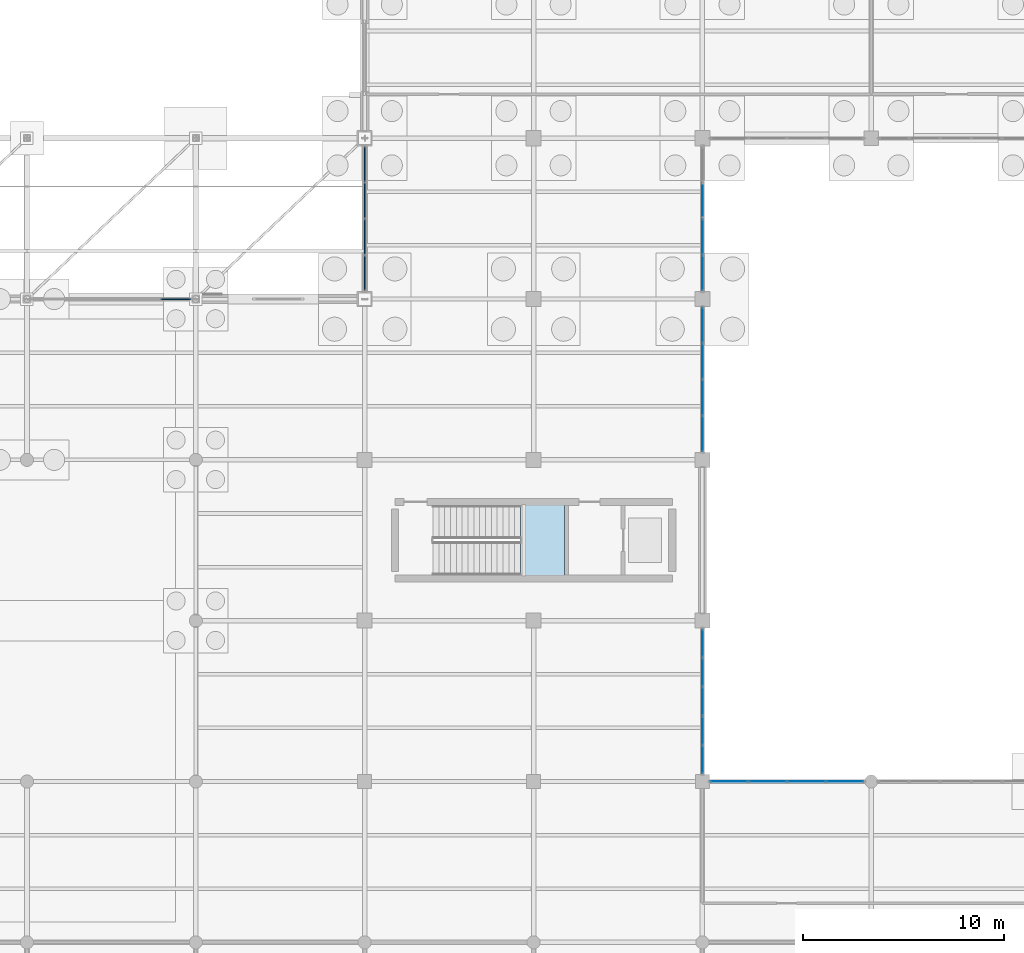
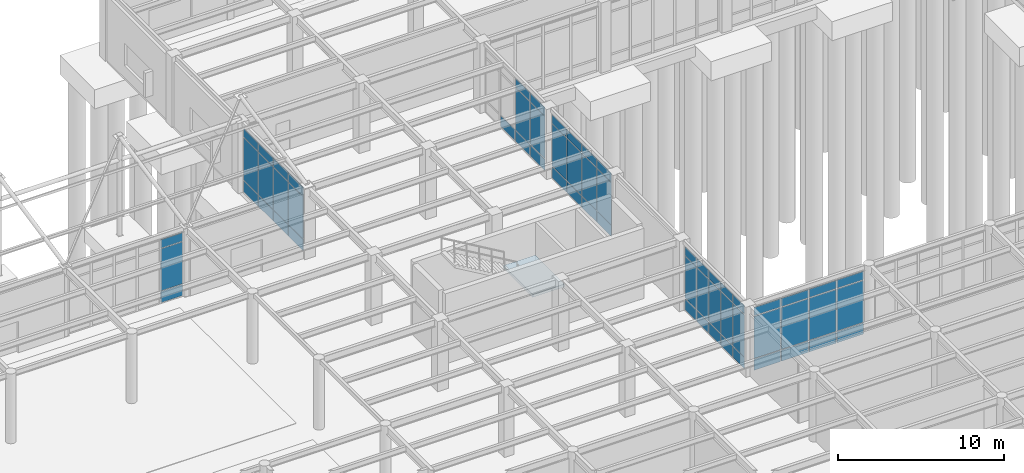
# One storey, part 70 of 138: 61 plates, 1 slab, 7 elements without a shape of their own.
"""IFC4 building model written with IfcOpenShell, lengths in metres."""

from ifc_helpers import new_model, si_unit, direction, frame, origin, origin_2d, place, context, subcontext, project, spatial, polyline, rectangle, outline, extrude, material, layer, layer_set, type_object, element, aggregate, save


model = new_model("IFC4")

# Units and contexts
model_context = context("Model", 3, precision=1e-05, world=origin(), true_north=direction((0.0, 1.0)))
body_context = subcontext(model_context, "Body", "Model", "MODEL_VIEW")
ifc_project = project(units=[si_unit("LENGTHUNIT", "METRE"), si_unit("AREAUNIT", "SQUARE_METRE"), si_unit("VOLUMEUNIT", "CUBIC_METRE"), si_unit("PLANEANGLEUNIT", "RADIAN"), si_unit("MASSUNIT", "GRAM", prefix="KILO")], contexts=[model_context])

# Site, building, storey
site_placement = place(None, origin())
site = spatial("IfcSite", under=ifc_project, at=site_placement, CompositionType="ELEMENT")
building_placement = place(site_placement, origin())
building = spatial("IfcBuilding", under=site, at=building_placement, Name="Kranzveld Transit Interchange", CompositionType="ELEMENT")
storey_placement = place(building_placement, origin())
storey = spatial("IfcBuildingStorey", under=building, at=storey_placement, Name="L00", CompositionType="ELEMENT", Elevation=0.0)

# Curtain wall, plates
ifc_material_1 = material(Name="Bronze-anodised thermally broken aluminium", Category="aluminium")
ifc_layer_1 = layer(ifc_material_1, 0.159912109375)
ifc_layer_set_1 = layer_set([ifc_layer_1], Name="Bronze-anodised thermally broken aluminium")
curtain_wall_type_1 = type_object("IfcCurtainWallType", Name="Bus Boarding Glazed Screen CW-3", PredefinedType="USERDEFINED", material=ifc_layer_set_1)
curtain_wall_1_placement = place(storey_placement, origin())
curtain_wall_1 = element("IfcCurtainWall", 1, at=curtain_wall_1_placement, inside=storey, type_object=curtain_wall_type_1, Name="L00 Curtain Wall 15/L-15/M", ObjectType="CURTAIN WALL", PredefinedType="USERDEFINED")
ifc_material_2 = material(Name="Solar-control double glazing", Category="glass")
ifc_layer_2 = layer(ifc_material_2, 0.031982421875)
ifc_layer_set_2 = layer_set([ifc_layer_2], Name="Solar-control double glazing")
plate_type_1 = type_object("IfcPlateType", Name="Curtain Panel Acoustic Glazing 32", PredefinedType="CURTAIN_PANEL", material=ifc_layer_set_2)
plate_1_placement = place(storey_placement, frame((117.60009765625, 81.296142578125, 0.06005859375), z_axis=(0.0, 0.0, 1.0), x_axis=(0.0, 1.0, 0.0)))
plate_1 = element("IfcPlate", 2, at=plate_1_placement, type_object=plate_type_1, Name="CW-3 panel 1.1", PredefinedType="CURTAIN_PANEL", context=body_context, shape_type="SweptSolid", body=[
    extrude(rectangle(XDim=1.722412109375, YDim=0.031982421875, at=origin_2d()), origin(), (0.0, 0.0, 1.0), 0.81005859375),
])
plate_2_placement = place(storey_placement, frame((117.60009765625, 81.296142578125, 0.929931640625), z_axis=(0.0, 0.0, 1.0), x_axis=(0.0, 1.0, 0.0)))
plate_2 = element("IfcPlate", 3, at=plate_2_placement, type_object=plate_type_1, Name="CW-3 panel 1.2", PredefinedType="CURTAIN_PANEL", context=body_context, shape_type="SweptSolid", body=[
    extrude(rectangle(XDim=1.722412109375, YDim=0.031982421875, at=origin_2d()), origin(), (0.0, 0.0, 1.0), 3.08740234375),
])
plate_3_placement = place(storey_placement, frame((117.60009765625, 81.296142578125, 4.0771484375), z_axis=(0.0, 0.0, 1.0), x_axis=(0.0, 1.0, 0.0)))
plate_3 = element("IfcPlate", 4, at=plate_3_placement, type_object=plate_type_1, Name="CW-3 panel 1.3", PredefinedType="CURTAIN_PANEL", context=body_context, shape_type="SweptSolid", body=[
    extrude(rectangle(XDim=1.722412109375, YDim=0.031982421875, at=origin_2d()), origin(), (0.0, 0.0, 1.0), 0.610107421875),
])
plate_4_placement = place(storey_placement, frame((117.60009765625, 83.09375, 0.06005859375), z_axis=(0.0, 0.0, 1.0), x_axis=(0.0, 1.0, 0.0)))
plate_4 = element("IfcPlate", 5, at=plate_4_placement, type_object=plate_type_1, Name="CW-3 panel 2.1", PredefinedType="CURTAIN_PANEL", context=body_context, shape_type="SweptSolid", body=[
    extrude(rectangle(XDim=1.75244140625, YDim=0.031982421875, at=origin_2d()), origin(), (0.0, 0.0, 1.0), 0.81005859375),
])
plate_5_placement = place(storey_placement, frame((117.60009765625, 83.09375, 0.929931640625), z_axis=(0.0, 0.0, 1.0), x_axis=(0.0, 1.0, 0.0)))
plate_5 = element("IfcPlate", 6, at=plate_5_placement, type_object=plate_type_1, Name="CW-3 panel 2.2", PredefinedType="CURTAIN_PANEL", context=body_context, shape_type="SweptSolid", body=[
    extrude(rectangle(XDim=1.75244140625, YDim=0.031982421875, at=origin_2d()), origin(), (0.0, 0.0, 1.0), 3.08740234375),
])
plate_6_placement = place(storey_placement, frame((117.60009765625, 83.09375, 4.0771484375), z_axis=(0.0, 0.0, 1.0), x_axis=(0.0, 1.0, 0.0)))
plate_6 = element("IfcPlate", 7, at=plate_6_placement, type_object=plate_type_1, Name="CW-3 panel 2.3", PredefinedType="CURTAIN_PANEL", context=body_context, shape_type="SweptSolid", body=[
    extrude(rectangle(XDim=1.75244140625, YDim=0.031982421875, at=origin_2d()), origin(), (0.0, 0.0, 1.0), 0.610107421875),
])
plate_7_placement = place(storey_placement, frame((117.60009765625, 84.90625, 0.06005859375), z_axis=(0.0, 0.0, 1.0), x_axis=(0.0, 1.0, 0.0)))
plate_7 = element("IfcPlate", 8, at=plate_7_placement, type_object=plate_type_1, Name="CW-3 panel 3.1", PredefinedType="CURTAIN_PANEL", context=body_context, shape_type="SweptSolid", body=[
    extrude(rectangle(XDim=1.75244140625, YDim=0.031982421875, at=origin_2d()), origin(), (0.0, 0.0, 1.0), 0.81005859375),
])
plate_8_placement = place(storey_placement, frame((117.60009765625, 84.90625, 0.929931640625), z_axis=(0.0, 0.0, 1.0), x_axis=(0.0, 1.0, 0.0)))
plate_8 = element("IfcPlate", 9, at=plate_8_placement, type_object=plate_type_1, Name="CW-3 panel 3.2", PredefinedType="CURTAIN_PANEL", context=body_context, shape_type="SweptSolid", body=[
    extrude(rectangle(XDim=1.75244140625, YDim=0.031982421875, at=origin_2d()), origin(), (0.0, 0.0, 1.0), 3.08740234375),
])
plate_9_placement = place(storey_placement, frame((117.60009765625, 84.90625, 4.0771484375), z_axis=(0.0, 0.0, 1.0), x_axis=(0.0, 1.0, 0.0)))
plate_9 = element("IfcPlate", 10, at=plate_9_placement, type_object=plate_type_1, Name="CW-3 panel 3.3", PredefinedType="CURTAIN_PANEL", context=body_context, shape_type="SweptSolid", body=[
    extrude(rectangle(XDim=1.75244140625, YDim=0.031982421875, at=origin_2d()), origin(), (0.0, 0.0, 1.0), 0.610107421875),
])
plate_10_placement = place(storey_placement, frame((117.60009765625, 86.703857421875, 0.06005859375), z_axis=(0.0, 0.0, 1.0), x_axis=(0.0, 1.0, 0.0)))
plate_10 = element("IfcPlate", 11, at=plate_10_placement, type_object=plate_type_1, Name="CW-3 panel 4.1", PredefinedType="CURTAIN_PANEL", context=body_context, shape_type="SweptSolid", body=[
    extrude(rectangle(XDim=1.722412109375, YDim=0.031982421875, at=origin_2d()), origin(), (0.0, 0.0, 1.0), 0.81005859375),
])
plate_11_placement = place(storey_placement, frame((117.60009765625, 86.703857421875, 0.929931640625), z_axis=(0.0, 0.0, 1.0), x_axis=(0.0, 1.0, 0.0)))
plate_11 = element("IfcPlate", 12, at=plate_11_placement, type_object=plate_type_1, Name="CW-3 panel 4.2", PredefinedType="CURTAIN_PANEL", context=body_context, shape_type="SweptSolid", body=[
    extrude(rectangle(XDim=1.722412109375, YDim=0.031982421875, at=origin_2d()), origin(), (0.0, 0.0, 1.0), 3.08740234375),
])
plate_12_placement = place(storey_placement, frame((117.60009765625, 86.703857421875, 4.0771484375), z_axis=(0.0, 0.0, 1.0), x_axis=(0.0, 1.0, 0.0)))
plate_12 = element("IfcPlate", 13, at=plate_12_placement, type_object=plate_type_1, Name="CW-3 panel 4.3", PredefinedType="CURTAIN_PANEL", context=body_context, shape_type="SweptSolid", body=[
    extrude(rectangle(XDim=1.722412109375, YDim=0.031982421875, at=origin_2d()), origin(), (0.0, 0.0, 1.0), 0.610107421875),
])
aggregate(curtain_wall_1, [plate_1, plate_2, plate_3, plate_4, plate_5, plate_6, plate_7, plate_8, plate_9, plate_10, plate_11, plate_12])

ifc_material_3 = material(Name="Bronze-anodised thermally broken aluminium", Category="aluminium")
ifc_layer_3 = layer(ifc_material_3, 0.1650390625)
ifc_layer_set_3 = layer_set([ifc_layer_3], Name="Bronze-anodised thermally broken aluminium")
curtain_wall_type_2 = type_object("IfcCurtainWallType", Name="Sunny Court Arcade Curtain Wall CW-2", PredefinedType="USERDEFINED", material=ifc_layer_set_3)
curtain_wall_2_placement = place(storey_placement, origin())
curtain_wall_2 = element("IfcCurtainWall", 14, at=curtain_wall_2_placement, inside=storey, type_object=curtain_wall_type_2, Name="L00 Curtain Wall 15/J-15/K", ObjectType="CURTAIN WALL", PredefinedType="USERDEFINED")
ifc_material_4 = material(Name="Solar-control double glazing", Category="glass")
ifc_layer_4 = layer(ifc_material_4, 0.02392578125)
ifc_layer_set_4 = layer_set([ifc_layer_4], Name="Solar-control double glazing")
plate_type_2 = type_object("IfcPlateType", Name="Curtain Panel Clear Glazing 24", PredefinedType="CURTAIN_PANEL", material=ifc_layer_set_4)
plate_13_placement = place(storey_placement, frame((117.60009765625, 65.09375, 0.06005859375), z_axis=(0.0, 0.0, 1.0), x_axis=(0.0, 1.0, 0.0)))
plate_13 = element("IfcPlate", 15, at=plate_13_placement, type_object=plate_type_2, Name="CW-2 panel 1.1", PredefinedType="CURTAIN_PANEL", context=body_context, shape_type="SweptSolid", body=[
    extrude(rectangle(XDim=1.357421875, YDim=0.02392578125, at=origin_2d()), origin(), (0.0, 0.0, 1.0), 0.81005859375),
])
plate_14_placement = place(storey_placement, frame((117.60009765625, 65.09375, 0.929931640625), z_axis=(0.0, 0.0, 1.0), x_axis=(0.0, 1.0, 0.0)))
plate_14 = element("IfcPlate", 16, at=plate_14_placement, type_object=plate_type_2, Name="CW-2 panel 1.2", PredefinedType="CURTAIN_PANEL", context=body_context, shape_type="SweptSolid", body=[
    extrude(rectangle(XDim=1.357421875, YDim=0.02392578125, at=origin_2d()), origin(), (0.0, 0.0, 1.0), 3.08740234375),
])
plate_15_placement = place(storey_placement, frame((117.60009765625, 65.09375, 4.0771484375), z_axis=(0.0, 0.0, 1.0), x_axis=(0.0, 1.0, 0.0)))
plate_15 = element("IfcPlate", 17, at=plate_15_placement, type_object=plate_type_2, Name="CW-2 panel 1.3", PredefinedType="CURTAIN_PANEL", context=body_context, shape_type="SweptSolid", body=[
    extrude(rectangle(XDim=1.357421875, YDim=0.02392578125, at=origin_2d()), origin(), (0.0, 0.0, 1.0), 0.610107421875),
])
plate_16_placement = place(storey_placement, frame((117.60009765625, 66.532470703125, 0.06005859375), z_axis=(0.0, 0.0, 1.0), x_axis=(0.0, 1.0, 0.0)))
plate_16 = element("IfcPlate", 18, at=plate_16_placement, type_object=plate_type_2, Name="CW-2 panel 2.1", PredefinedType="CURTAIN_PANEL", context=body_context, shape_type="SweptSolid", body=[
    extrude(rectangle(XDim=1.389892578125, YDim=0.02392578125, at=origin_2d()), origin(), (0.0, 0.0, 1.0), 0.81005859375),
])
plate_17_placement = place(storey_placement, frame((117.60009765625, 66.532470703125, 0.929931640625), z_axis=(0.0, 0.0, 1.0), x_axis=(0.0, 1.0, 0.0)))
plate_17 = element("IfcPlate", 19, at=plate_17_placement, type_object=plate_type_2, Name="CW-2 panel 2.2", PredefinedType="CURTAIN_PANEL", context=body_context, shape_type="SweptSolid", body=[
    extrude(rectangle(XDim=1.389892578125, YDim=0.02392578125, at=origin_2d()), origin(), (0.0, 0.0, 1.0), 3.08740234375),
])
plate_18_placement = place(storey_placement, frame((117.60009765625, 66.532470703125, 4.0771484375), z_axis=(0.0, 0.0, 1.0), x_axis=(0.0, 1.0, 0.0)))
plate_18 = element("IfcPlate", 20, at=plate_18_placement, type_object=plate_type_2, Name="CW-2 panel 2.3", PredefinedType="CURTAIN_PANEL", context=body_context, shape_type="SweptSolid", body=[
    extrude(rectangle(XDim=1.389892578125, YDim=0.02392578125, at=origin_2d()), origin(), (0.0, 0.0, 1.0), 0.610107421875),
])
plate_19_placement = place(storey_placement, frame((117.60009765625, 67.987548828125, 0.06005859375), z_axis=(0.0, 0.0, 1.0), x_axis=(0.0, 1.0, 0.0)))
plate_19 = element("IfcPlate", 21, at=plate_19_placement, type_object=plate_type_2, Name="CW-2 panel 3.1", PredefinedType="CURTAIN_PANEL", context=body_context, shape_type="SweptSolid", body=[
    extrude(rectangle(XDim=1.389892578125, YDim=0.02392578125, at=origin_2d()), origin(), (0.0, 0.0, 1.0), 0.81005859375),
])
plate_20_placement = place(storey_placement, frame((117.60009765625, 67.987548828125, 0.929931640625), z_axis=(0.0, 0.0, 1.0), x_axis=(0.0, 1.0, 0.0)))
plate_20 = element("IfcPlate", 22, at=plate_20_placement, type_object=plate_type_2, Name="CW-2 panel 3.2", PredefinedType="CURTAIN_PANEL", context=body_context, shape_type="SweptSolid", body=[
    extrude(rectangle(XDim=1.389892578125, YDim=0.02392578125, at=origin_2d()), origin(), (0.0, 0.0, 1.0), 3.08740234375),
])
plate_21_placement = place(storey_placement, frame((117.60009765625, 67.987548828125, 4.0771484375), z_axis=(0.0, 0.0, 1.0), x_axis=(0.0, 1.0, 0.0)))
plate_21 = element("IfcPlate", 23, at=plate_21_placement, type_object=plate_type_2, Name="CW-2 panel 3.3", PredefinedType="CURTAIN_PANEL", context=body_context, shape_type="SweptSolid", body=[
    extrude(rectangle(XDim=1.389892578125, YDim=0.02392578125, at=origin_2d()), origin(), (0.0, 0.0, 1.0), 0.610107421875),
])
plate_22_placement = place(storey_placement, frame((117.60009765625, 69.4423828125, 0.06005859375), z_axis=(0.0, 0.0, 1.0), x_axis=(0.0, 1.0, 0.0)))
plate_22 = element("IfcPlate", 24, at=plate_22_placement, type_object=plate_type_2, Name="CW-2 panel 4.1", PredefinedType="CURTAIN_PANEL", context=body_context, shape_type="SweptSolid", body=[
    extrude(rectangle(XDim=1.389892578125, YDim=0.02392578125, at=origin_2d()), origin(), (0.0, 0.0, 1.0), 0.81005859375),
])
plate_23_placement = place(storey_placement, frame((117.60009765625, 69.4423828125, 0.929931640625), z_axis=(0.0, 0.0, 1.0), x_axis=(0.0, 1.0, 0.0)))
plate_23 = element("IfcPlate", 25, at=plate_23_placement, type_object=plate_type_2, Name="CW-2 panel 4.2", PredefinedType="CURTAIN_PANEL", context=body_context, shape_type="SweptSolid", body=[
    extrude(rectangle(XDim=1.389892578125, YDim=0.02392578125, at=origin_2d()), origin(), (0.0, 0.0, 1.0), 3.08740234375),
])
plate_24_placement = place(storey_placement, frame((117.60009765625, 69.4423828125, 4.0771484375), z_axis=(0.0, 0.0, 1.0), x_axis=(0.0, 1.0, 0.0)))
plate_24 = element("IfcPlate", 26, at=plate_24_placement, type_object=plate_type_2, Name="CW-2 panel 4.3", PredefinedType="CURTAIN_PANEL", context=body_context, shape_type="SweptSolid", body=[
    extrude(rectangle(XDim=1.389892578125, YDim=0.02392578125, at=origin_2d()), origin(), (0.0, 0.0, 1.0), 0.610107421875),
])
plate_25_placement = place(storey_placement, frame((117.60009765625, 70.88134765625, 0.06005859375), z_axis=(0.0, 0.0, 1.0), x_axis=(0.0, 1.0, 0.0)))
plate_25 = element("IfcPlate", 27, at=plate_25_placement, type_object=plate_type_2, Name="CW-2 panel 5.1", PredefinedType="CURTAIN_PANEL", context=body_context, shape_type="SweptSolid", body=[
    extrude(rectangle(XDim=1.357421875, YDim=0.02392578125, at=origin_2d()), origin(), (0.0, 0.0, 1.0), 0.81005859375),
])
plate_26_placement = place(storey_placement, frame((117.60009765625, 70.88134765625, 0.929931640625), z_axis=(0.0, 0.0, 1.0), x_axis=(0.0, 1.0, 0.0)))
plate_26 = element("IfcPlate", 28, at=plate_26_placement, type_object=plate_type_2, Name="CW-2 panel 5.2", PredefinedType="CURTAIN_PANEL", context=body_context, shape_type="SweptSolid", body=[
    extrude(rectangle(XDim=1.357421875, YDim=0.02392578125, at=origin_2d()), origin(), (0.0, 0.0, 1.0), 3.08740234375),
])
plate_27_placement = place(storey_placement, frame((117.60009765625, 70.88134765625, 4.0771484375), z_axis=(0.0, 0.0, 1.0), x_axis=(0.0, 1.0, 0.0)))
plate_27 = element("IfcPlate", 29, at=plate_27_placement, type_object=plate_type_2, Name="CW-2 panel 5.3", PredefinedType="CURTAIN_PANEL", context=body_context, shape_type="SweptSolid", body=[
    extrude(rectangle(XDim=1.357421875, YDim=0.02392578125, at=origin_2d()), origin(), (0.0, 0.0, 1.0), 0.610107421875),
])
aggregate(curtain_wall_2, [plate_13, plate_14, plate_15, plate_16, plate_17, plate_18, plate_19, plate_20, plate_21, plate_22, plate_23, plate_24, plate_25, plate_26, plate_27])

ifc_material_5 = material(Name="Bronze-anodised thermally broken aluminium", Category="aluminium")
ifc_layer_5 = layer(ifc_material_5, 0.179931640625)
ifc_layer_set_5 = layer_set([ifc_layer_5], Name="Bronze-anodised thermally broken aluminium")
curtain_wall_type_3 = type_object("IfcCurtainWallType", Name="Concourse Unitised Curtain Wall CW-1", PredefinedType="USERDEFINED", material=ifc_layer_set_5)
curtain_wall_3_placement = place(storey_placement, origin())
curtain_wall_3 = element("IfcCurtainWall", 30, at=curtain_wall_3_placement, inside=storey, type_object=curtain_wall_type_3, Name="L00 Curtain Wall 15/M-15/N", ObjectType="CURTAIN WALL", PredefinedType="USERDEFINED")
ifc_material_6 = material(Name="Solar-control double glazing", Category="glass")
ifc_layer_6 = layer(ifc_material_6, 0.028076171875)
ifc_layer_set_6 = layer_set([ifc_layer_6], Name="Solar-control double glazing")
plate_type_3 = type_object("IfcPlateType", Name="Curtain Panel Double Glazing 28", PredefinedType="CURTAIN_PANEL", material=ifc_layer_set_6)
plate_28_placement = place(storey_placement, frame((117.60009765625, 89.297607421875, 0.06494140625), z_axis=(0.0, 0.0, 1.0), x_axis=(0.0, 1.0, 0.0)))
plate_28 = element("IfcPlate", 31, at=plate_28_placement, type_object=plate_type_3, Name="CW-1 panel 1.1", PredefinedType="CURTAIN_PANEL", context=body_context, shape_type="SweptSolid", body=[
    extrude(rectangle(XDim=1.715087890625, YDim=0.028076171875, at=origin_2d()), origin(), (0.0, 0.0, 1.0), 0.802490234375),
])
plate_29_placement = place(storey_placement, frame((117.60009765625, 89.297607421875, 0.932373046875), z_axis=(0.0, 0.0, 1.0), x_axis=(0.0, 1.0, 0.0)))
plate_29 = element("IfcPlate", 32, at=plate_29_placement, type_object=plate_type_3, Name="CW-1 panel 1.2", PredefinedType="CURTAIN_PANEL", context=body_context, shape_type="SweptSolid", body=[
    extrude(rectangle(XDim=1.715087890625, YDim=0.028076171875, at=origin_2d()), origin(), (0.0, 0.0, 1.0), 3.08251953125),
])
plate_30_placement = place(storey_placement, frame((117.60009765625, 89.297607421875, 4.079833984375), z_axis=(0.0, 0.0, 1.0), x_axis=(0.0, 1.0, 0.0)))
plate_30 = element("IfcPlate", 33, at=plate_30_placement, type_object=plate_type_3, Name="CW-1 panel 1.3", PredefinedType="CURTAIN_PANEL", context=body_context, shape_type="SweptSolid", body=[
    extrude(rectangle(XDim=1.715087890625, YDim=0.028076171875, at=origin_2d()), origin(), (0.0, 0.0, 1.0), 0.6025390625),
])
plate_31_placement = place(storey_placement, frame((117.60009765625, 91.09375, 0.06494140625), z_axis=(0.0, 0.0, 1.0), x_axis=(0.0, 1.0, 0.0)))
plate_31 = element("IfcPlate", 34, at=plate_31_placement, type_object=plate_type_3, Name="CW-1 panel 2.1", PredefinedType="CURTAIN_PANEL", context=body_context, shape_type="SweptSolid", body=[
    extrude(rectangle(XDim=1.74755859375, YDim=0.028076171875, at=origin_2d()), origin(), (0.0, 0.0, 1.0), 0.802490234375),
])
plate_32_placement = place(storey_placement, frame((117.60009765625, 91.09375, 0.932373046875), z_axis=(0.0, 0.0, 1.0), x_axis=(0.0, 1.0, 0.0)))
plate_32 = element("IfcPlate", 35, at=plate_32_placement, type_object=plate_type_3, Name="CW-1 panel 2.2", PredefinedType="CURTAIN_PANEL", context=body_context, shape_type="SweptSolid", body=[
    extrude(rectangle(XDim=1.74755859375, YDim=0.028076171875, at=origin_2d()), origin(), (0.0, 0.0, 1.0), 3.08251953125),
])
plate_33_placement = place(storey_placement, frame((117.60009765625, 91.09375, 4.079833984375), z_axis=(0.0, 0.0, 1.0), x_axis=(0.0, 1.0, 0.0)))
plate_33 = element("IfcPlate", 36, at=plate_33_placement, type_object=plate_type_3, Name="CW-1 panel 2.3", PredefinedType="CURTAIN_PANEL", context=body_context, shape_type="SweptSolid", body=[
    extrude(rectangle(XDim=1.74755859375, YDim=0.028076171875, at=origin_2d()), origin(), (0.0, 0.0, 1.0), 0.6025390625),
])
plate_34_placement = place(storey_placement, frame((117.60009765625, 92.90625, 0.06494140625), z_axis=(0.0, 0.0, 1.0), x_axis=(0.0, 1.0, 0.0)))
plate_34 = element("IfcPlate", 37, at=plate_34_placement, type_object=plate_type_3, Name="CW-1 panel 3.1", PredefinedType="CURTAIN_PANEL", context=body_context, shape_type="SweptSolid", body=[
    extrude(rectangle(XDim=1.74755859375, YDim=0.028076171875, at=origin_2d()), origin(), (0.0, 0.0, 1.0), 0.802490234375),
])
aggregate(curtain_wall_3, [plate_28, plate_29, plate_30, plate_31, plate_32, plate_33, plate_34])

ifc_material_7 = material(Name="Bronze-anodised thermally broken aluminium", Category="aluminium")
ifc_layer_7 = layer(ifc_material_7, 0.18505859375)
ifc_layer_set_7 = layer_set([ifc_layer_7], Name="Bronze-anodised thermally broken aluminium")
curtain_wall_type_4 = type_object("IfcCurtainWallType", Name="Control Crown Observation Facade CW-5", PredefinedType="USERDEFINED", material=ifc_layer_set_7)
curtain_wall_4_placement = place(storey_placement, origin())
curtain_wall_4 = element("IfcCurtainWall", 38, at=curtain_wall_4_placement, inside=storey, type_object=curtain_wall_type_4, Name="L00 Curtain Wall 15/J-16/J", ObjectType="CURTAIN WALL", PredefinedType="USERDEFINED")
ifc_material_8 = material(Name="Solar-control double glazing", Category="glass")
ifc_layer_8 = layer(ifc_material_8, 0.035888671875)
ifc_layer_set_8 = layer_set([ifc_layer_8], Name="Solar-control double glazing")
plate_type_4 = type_object("IfcPlateType", Name="Curtain Panel Triple Glazing 36", PredefinedType="CURTAIN_PANEL", material=ifc_layer_set_8)
plate_35_placement = place(storey_placement, frame((118.931884765625, 64.0, 0.06494140625), z_axis=(0.0, 0.0, 1.0), x_axis=(1.0, 0.0, 0.0)))
plate_35 = element("IfcPlate", 39, at=plate_35_placement, type_object=plate_type_4, Name="CW-5 panel 1.1", PredefinedType="CURTAIN_PANEL", context=body_context, shape_type="SweptSolid", body=[
    extrude(rectangle(XDim=1.833740234375, YDim=0.035888671875, at=origin_2d()), origin(), (0.0, 0.0, 1.0), 0.802490234375),
])
plate_36_placement = place(storey_placement, frame((118.931884765625, 64.0, 0.932373046875), z_axis=(0.0, 0.0, 1.0), x_axis=(1.0, 0.0, 0.0)))
plate_36 = element("IfcPlate", 40, at=plate_36_placement, type_object=plate_type_4, Name="CW-5 panel 1.2", PredefinedType="CURTAIN_PANEL", context=body_context, shape_type="SweptSolid", body=[
    extrude(rectangle(XDim=1.833740234375, YDim=0.035888671875, at=origin_2d()), origin(), (0.0, 0.0, 1.0), 3.07568359375),
])
plate_37_placement = place(storey_placement, frame((118.931884765625, 64.0, 4.072998046875), z_axis=(0.0, 0.0, 1.0), x_axis=(1.0, 0.0, 0.0)))
plate_37 = element("IfcPlate", 41, at=plate_37_placement, type_object=plate_type_4, Name="CW-5 panel 1.3", PredefinedType="CURTAIN_PANEL", context=body_context, shape_type="SweptSolid", body=[
    extrude(rectangle(XDim=1.833740234375, YDim=0.035888671875, at=origin_2d()), origin(), (0.0, 0.0, 1.0), 0.6025390625),
])
plate_38_placement = place(storey_placement, frame((120.846923828125, 64.0, 0.06494140625), z_axis=(0.0, 0.0, 1.0), x_axis=(1.0, 0.0, 0.0)))
plate_38 = element("IfcPlate", 42, at=plate_38_placement, type_object=plate_type_4, Name="CW-5 panel 2.1", PredefinedType="CURTAIN_PANEL", context=body_context, shape_type="SweptSolid", body=[
    extrude(rectangle(XDim=1.8662109375, YDim=0.035888671875, at=origin_2d()), origin(), (0.0, 0.0, 1.0), 0.802490234375),
])
plate_39_placement = place(storey_placement, frame((120.846923828125, 64.0, 0.932373046875), z_axis=(0.0, 0.0, 1.0), x_axis=(1.0, 0.0, 0.0)))
plate_39 = element("IfcPlate", 43, at=plate_39_placement, type_object=plate_type_4, Name="CW-5 panel 2.2", PredefinedType="CURTAIN_PANEL", context=body_context, shape_type="SweptSolid", body=[
    extrude(rectangle(XDim=1.8662109375, YDim=0.035888671875, at=origin_2d()), origin(), (0.0, 0.0, 1.0), 3.07568359375),
])
plate_40_placement = place(storey_placement, frame((120.846923828125, 64.0, 4.072998046875), z_axis=(0.0, 0.0, 1.0), x_axis=(1.0, 0.0, 0.0)))
plate_40 = element("IfcPlate", 44, at=plate_40_placement, type_object=plate_type_4, Name="CW-5 panel 2.3", PredefinedType="CURTAIN_PANEL", context=body_context, shape_type="SweptSolid", body=[
    extrude(rectangle(XDim=1.8662109375, YDim=0.035888671875, at=origin_2d()), origin(), (0.0, 0.0, 1.0), 0.6025390625),
])
plate_41_placement = place(storey_placement, frame((122.778076171875, 64.0, 0.06494140625), z_axis=(0.0, 0.0, 1.0), x_axis=(1.0, 0.0, 0.0)))
plate_41 = element("IfcPlate", 45, at=plate_41_placement, type_object=plate_type_4, Name="CW-5 panel 3.1", PredefinedType="CURTAIN_PANEL", context=body_context, shape_type="SweptSolid", body=[
    extrude(rectangle(XDim=1.8662109375, YDim=0.035888671875, at=origin_2d()), origin(), (0.0, 0.0, 1.0), 0.802490234375),
])
plate_42_placement = place(storey_placement, frame((122.778076171875, 64.0, 0.932373046875), z_axis=(0.0, 0.0, 1.0), x_axis=(1.0, 0.0, 0.0)))
plate_42 = element("IfcPlate", 46, at=plate_42_placement, type_object=plate_type_4, Name="CW-5 panel 3.2", PredefinedType="CURTAIN_PANEL", context=body_context, shape_type="SweptSolid", body=[
    extrude(rectangle(XDim=1.8662109375, YDim=0.035888671875, at=origin_2d()), origin(), (0.0, 0.0, 1.0), 3.07568359375),
])
plate_43_placement = place(storey_placement, frame((122.778076171875, 64.0, 4.072998046875), z_axis=(0.0, 0.0, 1.0), x_axis=(1.0, 0.0, 0.0)))
plate_43 = element("IfcPlate", 47, at=plate_43_placement, type_object=plate_type_4, Name="CW-5 panel 3.3", PredefinedType="CURTAIN_PANEL", context=body_context, shape_type="SweptSolid", body=[
    extrude(rectangle(XDim=1.8662109375, YDim=0.035888671875, at=origin_2d()), origin(), (0.0, 0.0, 1.0), 0.6025390625),
])
plate_44_placement = place(storey_placement, frame((124.693115234375, 64.0, 0.06494140625), z_axis=(0.0, 0.0, 1.0), x_axis=(1.0, 0.0, 0.0)))
plate_44 = element("IfcPlate", 48, at=plate_44_placement, type_object=plate_type_4, Name="CW-5 panel 4.1", PredefinedType="CURTAIN_PANEL", context=body_context, shape_type="SweptSolid", body=[
    extrude(rectangle(XDim=1.833740234375, YDim=0.035888671875, at=origin_2d()), origin(), (0.0, 0.0, 1.0), 0.802490234375),
])
plate_45_placement = place(storey_placement, frame((124.693115234375, 64.0, 0.932373046875), z_axis=(0.0, 0.0, 1.0), x_axis=(1.0, 0.0, 0.0)))
plate_45 = element("IfcPlate", 49, at=plate_45_placement, type_object=plate_type_4, Name="CW-5 panel 4.2", PredefinedType="CURTAIN_PANEL", context=body_context, shape_type="SweptSolid", body=[
    extrude(rectangle(XDim=1.833740234375, YDim=0.035888671875, at=origin_2d()), origin(), (0.0, 0.0, 1.0), 3.07568359375),
])
plate_46_placement = place(storey_placement, frame((124.693115234375, 64.0, 4.072998046875), z_axis=(0.0, 0.0, 1.0), x_axis=(1.0, 0.0, 0.0)))
plate_46 = element("IfcPlate", 50, at=plate_46_placement, type_object=plate_type_4, Name="CW-5 panel 4.3", PredefinedType="CURTAIN_PANEL", context=body_context, shape_type="SweptSolid", body=[
    extrude(rectangle(XDim=1.833740234375, YDim=0.035888671875, at=origin_2d()), origin(), (0.0, 0.0, 1.0), 0.6025390625),
])
aggregate(curtain_wall_4, [plate_35, plate_36, plate_37, plate_38, plate_39, plate_40, plate_41, plate_42, plate_43, plate_44, plate_45, plate_46])

curtain_wall_5_placement = place(storey_placement, origin())
curtain_wall_5 = element("IfcCurtainWall", 51, at=curtain_wall_5_placement, inside=storey, type_object=curtain_wall_type_2, Name="L00 Curtain Wall 11/M-12/M", ObjectType="CURTAIN WALL", PredefinedType="USERDEFINED")
ifc_material_9 = material(Name="Pretoria red-purple clinker clay face brick, 35 MPa", Category="masonry")
ifc_layer_9 = layer(ifc_material_9, 0.050048828125)
ifc_layer_set_9 = layer_set([ifc_layer_9], Name="Pretoria red-purple clinker clay face brick, 35 MPa")
plate_type_5 = type_object("IfcPlateType", Name="Curtain Spandrel Clinker Tile 50", PredefinedType="CURTAIN_PANEL", material=ifc_layer_set_9)
plate_47_placement = place(storey_placement, frame((91.401611328125, 88.0, 0.06005859375), z_axis=(0.0, 0.0, 1.0), x_axis=(1.0, 0.0, 0.0)))
plate_47 = element("IfcPlate", 52, at=plate_47_placement, type_object=plate_type_5, Name="CW-2 panel 5.1", PredefinedType="CURTAIN_PANEL", context=body_context, shape_type="SweptSolid", body=[
    extrude(rectangle(XDim=1.511474609375, YDim=0.050048828125, at=origin_2d()), origin(), (0.0, 0.0, 1.0), 0.81005859375),
])
plate_48_placement = place(storey_placement, frame((91.401611328125, 88.0, 0.929931640625), z_axis=(0.0, 0.0, 1.0), x_axis=(1.0, 0.0, 0.0)))
plate_48 = element("IfcPlate", 53, at=plate_48_placement, type_object=plate_type_5, Name="CW-2 panel 5.2", PredefinedType="CURTAIN_PANEL", context=body_context, shape_type="SweptSolid", body=[
    extrude(rectangle(XDim=1.511474609375, YDim=0.050048828125, at=origin_2d()), origin(), (0.0, 0.0, 1.0), 3.08056640625),
])
plate_49_placement = place(storey_placement, frame((91.401611328125, 88.0, 4.0703125), z_axis=(0.0, 0.0, 1.0), x_axis=(1.0, 0.0, 0.0)))
plate_49 = element("IfcPlate", 54, at=plate_49_placement, type_object=plate_type_5, Name="CW-2 panel 5.3", PredefinedType="CURTAIN_PANEL", context=body_context, shape_type="SweptSolid", body=[
    extrude(rectangle(XDim=1.511474609375, YDim=0.050048828125, at=origin_2d()), origin(), (0.0, 0.0, 1.0), 0.610107421875),
])
aggregate(curtain_wall_5, [plate_47, plate_48, plate_49])

curtain_wall_6_placement = place(storey_placement, origin())
curtain_wall_6 = element("IfcCurtainWall", 55, at=curtain_wall_6_placement, inside=storey, type_object=curtain_wall_type_1, Name="L00 Curtain Wall 13/M-13/N", ObjectType="CURTAIN WALL", PredefinedType="USERDEFINED")
ifc_material_10 = material(Name="Bronze-anodised thermally broken aluminium", Category="aluminium")
ifc_layer_10 = layer(ifc_material_10, 0.053955078125)
ifc_layer_set_10 = layer_set([ifc_layer_10], Name="Bronze-anodised thermally broken aluminium")
plate_type_6 = type_object("IfcPlateType", Name="Curtain Spandrel Insulated Alu 54", PredefinedType="CURTAIN_PANEL", material=ifc_layer_set_10)
plate_50_placement = place(storey_placement, frame((100.800048828125, 89.296142578125, 0.06494140625), z_axis=(0.0, 0.0, 1.0), x_axis=(0.0, 1.0, 0.0)))
plate_50 = element("IfcPlate", 56, at=plate_50_placement, type_object=plate_type_6, Name="CW-3 panel 1.1", PredefinedType="CURTAIN_PANEL", context=body_context, shape_type="SweptSolid", body=[
    extrude(rectangle(XDim=1.722412109375, YDim=0.053955078125, at=origin_2d()), origin(), (0.0, 0.0, 1.0), 0.802490234375),
])
plate_51_placement = place(storey_placement, frame((100.800048828125, 89.296142578125, 0.932373046875), z_axis=(0.0, 0.0, 1.0), x_axis=(0.0, 1.0, 0.0)))
plate_51 = element("IfcPlate", 57, at=plate_51_placement, type_object=plate_type_6, Name="CW-3 panel 1.2", PredefinedType="CURTAIN_PANEL", context=body_context, shape_type="SweptSolid", body=[
    extrude(rectangle(XDim=1.722412109375, YDim=0.053955078125, at=origin_2d()), origin(), (0.0, 0.0, 1.0), 3.08251953125),
])
plate_52_placement = place(storey_placement, frame((100.800048828125, 89.296142578125, 4.079833984375), z_axis=(0.0, 0.0, 1.0), x_axis=(0.0, 1.0, 0.0)))
plate_52 = element("IfcPlate", 58, at=plate_52_placement, type_object=plate_type_6, Name="CW-3 panel 1.3", PredefinedType="CURTAIN_PANEL", context=body_context, shape_type="SweptSolid", body=[
    extrude(rectangle(XDim=1.722412109375, YDim=0.053955078125, at=origin_2d()), origin(), (0.0, 0.0, 1.0), 0.6025390625),
])
plate_53_placement = place(storey_placement, frame((100.800048828125, 91.09375, 0.06494140625), z_axis=(0.0, 0.0, 1.0), x_axis=(0.0, 1.0, 0.0)))
plate_53 = element("IfcPlate", 59, at=plate_53_placement, type_object=plate_type_6, Name="CW-3 panel 2.1", PredefinedType="CURTAIN_PANEL", context=body_context, shape_type="SweptSolid", body=[
    extrude(rectangle(XDim=1.75244140625, YDim=0.053955078125, at=origin_2d()), origin(), (0.0, 0.0, 1.0), 0.802490234375),
])
plate_54_placement = place(storey_placement, frame((100.800048828125, 91.09375, 0.932373046875), z_axis=(0.0, 0.0, 1.0), x_axis=(0.0, 1.0, 0.0)))
plate_54 = element("IfcPlate", 60, at=plate_54_placement, type_object=plate_type_6, Name="CW-3 panel 2.2", PredefinedType="CURTAIN_PANEL", context=body_context, shape_type="SweptSolid", body=[
    extrude(rectangle(XDim=1.75244140625, YDim=0.053955078125, at=origin_2d()), origin(), (0.0, 0.0, 1.0), 3.08251953125),
])
plate_55_placement = place(storey_placement, frame((100.800048828125, 91.09375, 4.079833984375), z_axis=(0.0, 0.0, 1.0), x_axis=(0.0, 1.0, 0.0)))
plate_55 = element("IfcPlate", 61, at=plate_55_placement, type_object=plate_type_6, Name="CW-3 panel 2.3", PredefinedType="CURTAIN_PANEL", context=body_context, shape_type="SweptSolid", body=[
    extrude(rectangle(XDim=1.75244140625, YDim=0.053955078125, at=origin_2d()), origin(), (0.0, 0.0, 1.0), 0.6025390625),
])
plate_56_placement = place(storey_placement, frame((100.800048828125, 92.90625, 0.06494140625), z_axis=(0.0, 0.0, 1.0), x_axis=(0.0, 1.0, 0.0)))
plate_56 = element("IfcPlate", 62, at=plate_56_placement, type_object=plate_type_6, Name="CW-3 panel 3.1", PredefinedType="CURTAIN_PANEL", context=body_context, shape_type="SweptSolid", body=[
    extrude(rectangle(XDim=1.75244140625, YDim=0.053955078125, at=origin_2d()), origin(), (0.0, 0.0, 1.0), 0.802490234375),
])
plate_57_placement = place(storey_placement, frame((100.800048828125, 92.90625, 0.932373046875), z_axis=(0.0, 0.0, 1.0), x_axis=(0.0, 1.0, 0.0)))
plate_57 = element("IfcPlate", 63, at=plate_57_placement, type_object=plate_type_6, Name="CW-3 panel 3.2", PredefinedType="CURTAIN_PANEL", context=body_context, shape_type="SweptSolid", body=[
    extrude(rectangle(XDim=1.75244140625, YDim=0.053955078125, at=origin_2d()), origin(), (0.0, 0.0, 1.0), 3.08251953125),
])
plate_58_placement = place(storey_placement, frame((100.800048828125, 92.90625, 4.079833984375), z_axis=(0.0, 0.0, 1.0), x_axis=(0.0, 1.0, 0.0)))
plate_58 = element("IfcPlate", 64, at=plate_58_placement, type_object=plate_type_6, Name="CW-3 panel 3.3", PredefinedType="CURTAIN_PANEL", context=body_context, shape_type="SweptSolid", body=[
    extrude(rectangle(XDim=1.75244140625, YDim=0.053955078125, at=origin_2d()), origin(), (0.0, 0.0, 1.0), 0.6025390625),
])
plate_59_placement = place(storey_placement, frame((100.800048828125, 94.703857421875, 0.06494140625), z_axis=(0.0, 0.0, 1.0), x_axis=(0.0, 1.0, 0.0)))
plate_59 = element("IfcPlate", 65, at=plate_59_placement, type_object=plate_type_6, Name="CW-3 panel 4.1", PredefinedType="CURTAIN_PANEL", context=body_context, shape_type="SweptSolid", body=[
    extrude(rectangle(XDim=1.722412109375, YDim=0.053955078125, at=origin_2d()), origin(), (0.0, 0.0, 1.0), 0.802490234375),
])
plate_60_placement = place(storey_placement, frame((100.800048828125, 94.703857421875, 0.932373046875), z_axis=(0.0, 0.0, 1.0), x_axis=(0.0, 1.0, 0.0)))
plate_60 = element("IfcPlate", 66, at=plate_60_placement, type_object=plate_type_6, Name="CW-3 panel 4.2", PredefinedType="CURTAIN_PANEL", context=body_context, shape_type="SweptSolid", body=[
    extrude(rectangle(XDim=1.722412109375, YDim=0.053955078125, at=origin_2d()), origin(), (0.0, 0.0, 1.0), 3.08251953125),
])
plate_61_placement = place(storey_placement, frame((100.800048828125, 94.703857421875, 4.079833984375), z_axis=(0.0, 0.0, 1.0), x_axis=(0.0, 1.0, 0.0)))
plate_61 = element("IfcPlate", 67, at=plate_61_placement, type_object=plate_type_6, Name="CW-3 panel 4.3", PredefinedType="CURTAIN_PANEL", context=body_context, shape_type="SweptSolid", body=[
    extrude(rectangle(XDim=1.722412109375, YDim=0.053955078125, at=origin_2d()), origin(), (0.0, 0.0, 1.0), 0.6025390625),
])
aggregate(curtain_wall_6, [plate_50, plate_51, plate_52, plate_53, plate_54, plate_55, plate_56, plate_57, plate_58, plate_59, plate_60, plate_61])

# Stair, slab
ifc_material_11 = material(Name="Concrete C35/45", Category="concrete")
stair_type = type_object("IfcStairType", Name="Dogleg Stair 1650W H5440 C35/45", PredefinedType="HALF_TURN_STAIR", material=ifc_material_11)
stair_placement = place(storey_placement, origin())
stair = element("IfcStair", 68, at=stair_placement, inside=storey, type_object=stair_type, Name="L00 Community Core C3", PredefinedType="HALF_TURN_STAIR")
ifc_material_12 = material(Name="Concrete C35/45", Category="concrete")
ifc_layer_11 = layer(ifc_material_12, 0.199951171875)
ifc_layer_set_11 = layer_set([ifc_layer_11], Name="Concrete C35/45")
slab_type = type_object("IfcSlabType", Name="Stair & Ramp Landing 200 C35/45", PredefinedType="LANDING", material=ifc_layer_set_11)
slab_placement = place(storey_placement, frame((0.0, 0.0, 2.52001953125)))
slab = element("IfcSlab", 69, at=slab_placement, type_object=slab_type, Name="ST-V4A landing 1", PredefinedType="LANDING", context=body_context, shape_type="SweptSolid", body=[
    extrude(outline(polyline([(108.550048828125, 74.235107421875), (110.75, 74.235107421875), (110.75, 77.764892578125), (108.550048828125, 77.764892578125), (108.550048828125, 74.235107421875)])), origin(), (0.0, 0.0, 1.0), 0.199951171875),
])
aggregate(stair, [slab])

save(model, "model.ifc")
